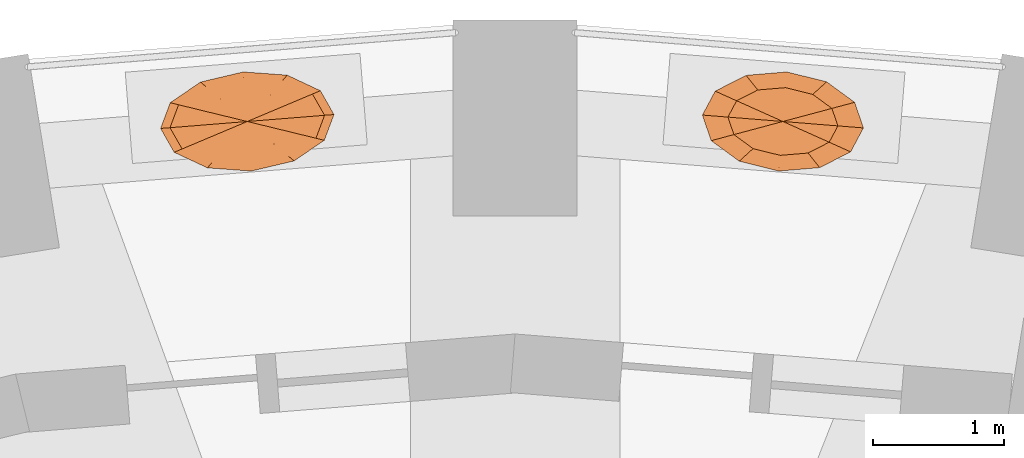
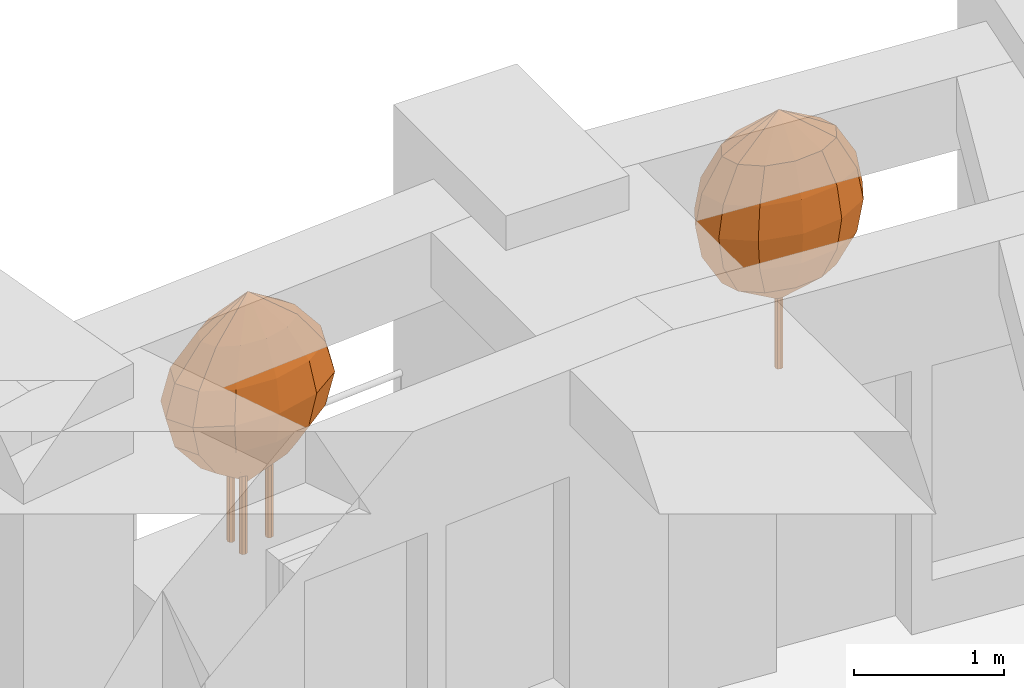
# One storey, part 11 of 11: 2 geographic elements.
"""IFC4 building model written with IfcOpenShell, lengths in metres."""

from ifc_helpers import new_model, si_unit, direction, frame, origin, place, context, subcontext, project, spatial, faceted_brep, material, constituent, constituent_set, type_object, element, save


model = new_model("IFC4")

# Units and contexts
model_context = context("Model", 3, precision=1e-05, world=origin(), true_north=direction((0.0, 1.0)))
body_context = subcontext(model_context, "Body", "Model", "MODEL_VIEW")
ifc_project = project(units=[si_unit("LENGTHUNIT", "METRE"), si_unit("AREAUNIT", "SQUARE_METRE"), si_unit("VOLUMEUNIT", "CUBIC_METRE"), si_unit("PLANEANGLEUNIT", "RADIAN"), si_unit("MASSUNIT", "GRAM", prefix="KILO")], contexts=[model_context])

# Site, building, storey
site_placement = place(None, origin())
site = spatial("IfcSite", under=ifc_project, at=site_placement, CompositionType="ELEMENT")
building_placement = place(site_placement, origin())
building = spatial("IfcBuilding", under=site, at=building_placement, Name="Taillehof Tower", CompositionType="ELEMENT")
storey_placement = place(building_placement, frame((0.0, 0.0, 174.800048828125)))
storey = spatial("IfcBuildingStorey", under=building, at=storey_placement, Name="L49", CompositionType="ELEMENT", Elevation=174.800048828125)

# Geographic elements
ifc_material_1 = material(Name="Tree bark", Category="timber")
ifc_constituent_1 = constituent(ifc_material_1, Name="Trunk", Category="timber")
ifc_material_2 = material(Name="Tree foliage")
ifc_constituent_2 = constituent(ifc_material_2, Name="Crown")
ifc_constituent_set_1 = constituent_set(constituents=[ifc_constituent_1, ifc_constituent_2], Name="Tree TR1 Columnar hornbeam")
geographic_element_type_1 = type_object("IfcGeographicElementType", Name="Tree TR1 Columnar hornbeam", PredefinedType="USERDEFINED", material=ifc_constituent_set_1)
geographic_element_1_placement = place(storey_placement, frame((2.147216796875, 21.524169921875, 0.75)))
element("IfcGeographicElement", 1, at=geographic_element_1_placement, inside=storey, type_object=geographic_element_type_1, Name="Tree TR1 Columnar hornbeam", ObjectType="TREE", PredefinedType="USERDEFINED", context=body_context, shape_type="Brep", body=[
    faceted_brep([(0.030029296875, 0.0, 0.0), (0.021240234375, 0.021240234375, 0.0), (0.021240234375, 0.021240234375, 1.092529296875), (0.030029296875, 0.0, 1.092529296875), (0.0, 0.030029296875, 0.0), (0.0, 0.030029296875, 1.092529296875), (-0.021240234375, 0.021240234375, 0.0), (-0.021240234375, 0.021240234375, 1.092529296875), (-0.030029296875, 0.0, 0.0), (-0.030029296875, 0.0, 1.092529296875), (-0.021240234375, -0.021240234375, 0.0), (-0.021240234375, -0.021240234375, 1.092529296875), (0.0, -0.030029296875, 0.0), (0.0, -0.030029296875, 1.092529296875), (0.021240234375, -0.021240234375, 0.0), (0.021240234375, -0.021240234375, 1.092529296875)], [[[0, 1, 2, 3]], [[1, 4, 5, 2]], [[4, 6, 7, 5]], [[6, 8, 9, 7]], [[8, 10, 11, 9]], [[10, 12, 13, 11]], [[12, 14, 15, 13]], [[14, 0, 3, 15]], [[14, 12, 10, 8, 6, 4, 1, 0]], [[3, 2, 5, 7, 9, 11, 13, 15]]]),
    faceted_brep([(0.0, 0.0, 0.550048828125), (-0.37451171875, -0.10009765625, 0.808349609375), (-0.42041015625, 0.03369140625, 0.808349609375), (-0.22802734375, -0.207275390625, 0.808349609375), (-0.020751953125, -0.2587890625, 0.808349609375), (0.1923828125, -0.240966796875, 0.808349609375), (0.353759765625, -0.158447265625, 0.808349609375), (0.42041015625, -0.03369140625, 0.808349609375), (0.37451171875, 0.10009765625, 0.808349609375), (0.22802734375, 0.207275390625, 0.808349609375), (0.020751953125, 0.2587890625, 0.808349609375), (-0.1923828125, 0.240966796875, 0.808349609375), (-0.353759765625, 0.158447265625, 0.808349609375), (-0.506591796875, -0.135498046875, 1.066650390625), (-0.568603515625, 0.04541015625, 1.066650390625), (-0.30859375, -0.2802734375, 1.066650390625), (-0.028076171875, -0.35009765625, 1.066650390625), (0.260009765625, -0.325927734375, 1.066650390625), (0.478515625, -0.21435546875, 1.066650390625), (0.568603515625, -0.04541015625, 1.066650390625), (0.506591796875, 0.135498046875, 1.066650390625), (0.30859375, 0.2802734375, 1.066650390625), (0.028076171875, 0.35009765625, 1.066650390625), (-0.260009765625, 0.325927734375, 1.066650390625), (-0.478515625, 0.21435546875, 1.066650390625), (-0.54833984375, -0.146728515625, 1.324951171875), (-0.615478515625, 0.04931640625, 1.324951171875), (-0.333984375, -0.303466796875, 1.324951171875), (-0.0302734375, -0.37890625, 1.324951171875), (0.281494140625, -0.352783203125, 1.324951171875), (0.517822265625, -0.232177734375, 1.324951171875), (0.615478515625, -0.04931640625, 1.324951171875), (0.54833984375, 0.146728515625, 1.324951171875), (0.333984375, 0.303466796875, 1.324951171875), (0.0302734375, 0.37890625, 1.324951171875), (-0.281494140625, 0.352783203125, 1.324951171875), (-0.517822265625, 0.232177734375, 1.324951171875), (-0.506591796875, -0.135498046875, 1.583251953125), (-0.568603515625, 0.04541015625, 1.583251953125), (-0.30859375, -0.2802734375, 1.583251953125), (-0.028076171875, -0.35009765625, 1.583251953125), (0.260009765625, -0.325927734375, 1.583251953125), (0.478515625, -0.21435546875, 1.583251953125), (0.568603515625, -0.04541015625, 1.583251953125), (0.506591796875, 0.135498046875, 1.583251953125), (0.30859375, 0.2802734375, 1.583251953125), (0.028076171875, 0.35009765625, 1.583251953125), (-0.260009765625, 0.325927734375, 1.583251953125), (-0.478515625, 0.21435546875, 1.583251953125), (-0.37451171875, -0.10009765625, 1.841552734375), (-0.42041015625, 0.03369140625, 1.841552734375), (-0.22802734375, -0.207275390625, 1.841552734375), (-0.020751953125, -0.2587890625, 1.841552734375), (0.1923828125, -0.240966796875, 1.841552734375), (0.353759765625, -0.158447265625, 1.841552734375), (0.42041015625, -0.03369140625, 1.841552734375), (0.37451171875, 0.10009765625, 1.841552734375), (0.22802734375, 0.207275390625, 1.841552734375), (0.020751953125, 0.2587890625, 1.841552734375), (-0.1923828125, 0.240966796875, 1.841552734375), (-0.353759765625, 0.158447265625, 1.841552734375), (0.0, 0.0, 2.10009765625)], [[[0, 1, 2]], [[0, 3, 1]], [[0, 4, 3]], [[0, 5, 4]], [[0, 6, 5]], [[0, 7, 6]], [[0, 8, 7]], [[0, 9, 8]], [[0, 10, 9]], [[0, 11, 10]], [[0, 12, 11]], [[0, 2, 12]], [[2, 1, 13, 14]], [[1, 3, 15, 13]], [[3, 4, 16, 15]], [[4, 5, 17, 16]], [[5, 6, 18, 17]], [[6, 7, 19, 18]], [[7, 8, 20, 19]], [[8, 9, 21, 20]], [[9, 10, 22, 21]], [[10, 11, 23, 22]], [[11, 12, 24, 23]], [[12, 2, 14, 24]], [[14, 13, 25, 26]], [[13, 15, 27, 25]], [[15, 16, 28, 27]], [[16, 17, 29, 28]], [[17, 18, 30, 29]], [[18, 19, 31, 30]], [[19, 20, 32, 31]], [[20, 21, 33, 32]], [[21, 22, 34, 33]], [[22, 23, 35, 34]], [[23, 24, 36, 35]], [[24, 14, 26, 36]], [[26, 25, 37, 38]], [[25, 27, 39, 37]], [[27, 28, 40, 39]], [[28, 29, 41, 40]], [[29, 30, 42, 41]], [[30, 31, 43, 42]], [[31, 32, 44, 43]], [[32, 33, 45, 44]], [[33, 34, 46, 45]], [[34, 35, 47, 46]], [[35, 36, 48, 47]], [[36, 26, 38, 48]], [[38, 37, 49, 50]], [[37, 39, 51, 49]], [[39, 40, 52, 51]], [[40, 41, 53, 52]], [[41, 42, 54, 53]], [[42, 43, 55, 54]], [[43, 44, 56, 55]], [[44, 45, 57, 56]], [[45, 46, 58, 57]], [[46, 47, 59, 58]], [[47, 48, 60, 59]], [[48, 38, 50, 60]], [[50, 49, 61]], [[49, 51, 61]], [[51, 52, 61]], [[52, 53, 61]], [[53, 54, 61]], [[54, 55, 61]], [[55, 56, 61]], [[56, 57, 61]], [[57, 58, 61]], [[58, 59, 61]], [[59, 60, 61]], [[60, 50, 61]]]),
])
ifc_material_3 = material(Name="Tree bark", Category="timber")
ifc_constituent_3 = constituent(ifc_material_3, Name="Trunk", Category="timber")
ifc_material_4 = material(Name="Tree foliage")
ifc_constituent_4 = constituent(ifc_material_4, Name="Crown")
ifc_constituent_set_2 = constituent_set(constituents=[ifc_constituent_3, ifc_constituent_4], Name="Tree TR3 Multi-stem serviceberry")
geographic_element_type_2 = type_object("IfcGeographicElementType", Name="Tree TR3 Multi-stem serviceberry", PredefinedType="USERDEFINED", material=ifc_constituent_set_2)
geographic_element_2_placement = place(storey_placement, frame((-1.947265625, 21.524169921875, 0.75)))
element("IfcGeographicElement", 2, at=geographic_element_2_placement, inside=storey, type_object=geographic_element_type_2, Name="Tree TR3 Multi-stem serviceberry", ObjectType="TREE", PredefinedType="USERDEFINED", context=body_context, shape_type="Brep", body=[
    faceted_brep([(0.195068359375, 0.0, 0.0), (0.186767578125, 0.0205078125, 0.0), (0.186767578125, 0.0205078125, 1.04248046875), (0.195068359375, 0.0, 1.04248046875), (0.166259765625, 0.02880859375, 0.0), (0.166259765625, 0.02880859375, 1.04248046875), (0.145751953125, 0.0205078125, 0.0), (0.145751953125, 0.0205078125, 1.04248046875), (0.137451171875, 0.0, 0.0), (0.137451171875, 0.0, 1.04248046875), (0.145751953125, -0.0205078125, 0.0), (0.145751953125, -0.0205078125, 1.04248046875), (0.166259765625, -0.02880859375, 0.0), (0.166259765625, -0.02880859375, 1.04248046875), (0.186767578125, -0.0205078125, 0.0), (0.186767578125, -0.0205078125, 1.04248046875)], [[[0, 1, 2, 3]], [[1, 4, 5, 2]], [[4, 6, 7, 5]], [[6, 8, 9, 7]], [[8, 10, 11, 9]], [[10, 12, 13, 11]], [[12, 14, 15, 13]], [[14, 0, 3, 15]], [[14, 12, 10, 8, 6, 4, 1, 0]], [[3, 2, 5, 7, 9, 11, 13, 15]]]),
    faceted_brep([(-0.05419921875, 0.082275390625, 0.0), (-0.062744140625, 0.102783203125, 0.0), (-0.062744140625, 0.102783203125, 1.04248046875), (-0.05419921875, 0.082275390625, 1.04248046875), (-0.0830078125, 0.111083984375, 0.0), (-0.0830078125, 0.111083984375, 1.04248046875), (-0.103515625, 0.102783203125, 0.0), (-0.103515625, 0.102783203125, 1.04248046875), (-0.112060546875, 0.082275390625, 0.0), (-0.112060546875, 0.082275390625, 1.04248046875), (-0.103515625, 0.061767578125, 0.0), (-0.103515625, 0.061767578125, 1.04248046875), (-0.0830078125, 0.053466796875, 0.0), (-0.0830078125, 0.053466796875, 1.04248046875), (-0.062744140625, 0.061767578125, 0.0), (-0.062744140625, 0.061767578125, 1.04248046875)], [[[0, 1, 2, 3]], [[1, 4, 5, 2]], [[4, 6, 7, 5]], [[6, 8, 9, 7]], [[8, 10, 11, 9]], [[10, 12, 13, 11]], [[12, 14, 15, 13]], [[14, 0, 3, 15]], [[14, 12, 10, 8, 6, 4, 1, 0]], [[3, 2, 5, 7, 9, 11, 13, 15]]]),
    faceted_brep([(-0.05419921875, -0.082275390625, 0.0), (-0.062744140625, -0.061767578125, 0.0), (-0.062744140625, -0.061767578125, 1.04248046875), (-0.05419921875, -0.082275390625, 1.04248046875), (-0.0830078125, -0.053466796875, 0.0), (-0.0830078125, -0.053466796875, 1.04248046875), (-0.103515625, -0.061767578125, 0.0), (-0.103515625, -0.061767578125, 1.04248046875), (-0.112060546875, -0.082275390625, 0.0), (-0.112060546875, -0.082275390625, 1.04248046875), (-0.103515625, -0.102783203125, 0.0), (-0.103515625, -0.102783203125, 1.04248046875), (-0.0830078125, -0.111083984375, 0.0), (-0.0830078125, -0.111083984375, 1.04248046875), (-0.062744140625, -0.102783203125, 0.0), (-0.062744140625, -0.102783203125, 1.04248046875)], [[[0, 1, 2, 3]], [[1, 4, 5, 2]], [[4, 6, 7, 5]], [[6, 8, 9, 7]], [[8, 10, 11, 9]], [[10, 12, 13, 11]], [[12, 14, 15, 13]], [[14, 0, 3, 15]], [[14, 12, 10, 8, 6, 4, 1, 0]], [[3, 2, 5, 7, 9, 11, 13, 15]]]),
    faceted_brep([(0.0, 0.0, 0.5), (-0.321044921875, -0.13525390625, 0.75830078125), (-0.380615234375, -0.030517578125, 0.75830078125), (-0.17529296875, -0.20361328125, 0.75830078125), (0.017333984375, -0.217529296875, 0.75830078125), (0.205322265625, -0.173095703125, 0.75830078125), (0.33837890625, -0.082275390625, 0.75830078125), (0.380615234375, 0.030517578125, 0.75830078125), (0.321044921875, 0.13525390625, 0.75830078125), (0.17529296875, 0.20361328125, 0.75830078125), (-0.017333984375, 0.217529296875, 0.75830078125), (-0.205322265625, 0.173095703125, 0.75830078125), (-0.33837890625, 0.082275390625, 0.75830078125), (-0.498046875, -0.209716796875, 1.0166015625), (-0.5908203125, -0.04736328125, 1.0166015625), (-0.27197265625, -0.31591796875, 1.0166015625), (0.027099609375, -0.337646484375, 1.0166015625), (0.31884765625, -0.268798828125, 1.0166015625), (0.525146484375, -0.1279296875, 1.0166015625), (0.5908203125, 0.04736328125, 1.0166015625), (0.498046875, 0.209716796875, 1.0166015625), (0.27197265625, 0.31591796875, 1.0166015625), (-0.027099609375, 0.337646484375, 1.0166015625), (-0.31884765625, 0.268798828125, 1.0166015625), (-0.525146484375, 0.1279296875, 1.0166015625), (-0.558837890625, -0.2353515625, 1.27490234375), (-0.662841796875, -0.052978515625, 1.27490234375), (-0.30517578125, -0.3544921875, 1.27490234375), (0.0302734375, -0.37890625, 1.27490234375), (0.357666015625, -0.301513671875, 1.27490234375), (0.589111328125, -0.1435546875, 1.27490234375), (0.662841796875, 0.052978515625, 1.27490234375), (0.558837890625, 0.2353515625, 1.27490234375), (0.30517578125, 0.3544921875, 1.27490234375), (-0.0302734375, 0.37890625, 1.27490234375), (-0.357666015625, 0.301513671875, 1.27490234375), (-0.589111328125, 0.1435546875, 1.27490234375), (-0.498046875, -0.209716796875, 1.533447265625), (-0.5908203125, -0.04736328125, 1.533447265625), (-0.27197265625, -0.31591796875, 1.533447265625), (0.027099609375, -0.337646484375, 1.533447265625), (0.31884765625, -0.268798828125, 1.533447265625), (0.525146484375, -0.1279296875, 1.533447265625), (0.5908203125, 0.04736328125, 1.533447265625), (0.498046875, 0.209716796875, 1.533447265625), (0.27197265625, 0.31591796875, 1.533447265625), (-0.027099609375, 0.337646484375, 1.533447265625), (-0.31884765625, 0.268798828125, 1.533447265625), (-0.525146484375, 0.1279296875, 1.533447265625), (-0.321044921875, -0.13525390625, 1.791748046875), (-0.380615234375, -0.030517578125, 1.791748046875), (-0.17529296875, -0.20361328125, 1.791748046875), (0.017333984375, -0.217529296875, 1.791748046875), (0.205322265625, -0.173095703125, 1.791748046875), (0.33837890625, -0.082275390625, 1.791748046875), (0.380615234375, 0.030517578125, 1.791748046875), (0.321044921875, 0.13525390625, 1.791748046875), (0.17529296875, 0.20361328125, 1.791748046875), (-0.017333984375, 0.217529296875, 1.791748046875), (-0.205322265625, 0.173095703125, 1.791748046875), (-0.33837890625, 0.082275390625, 1.791748046875), (0.0, 0.0, 2.050048828125)], [[[0, 1, 2]], [[0, 3, 1]], [[0, 4, 3]], [[0, 5, 4]], [[0, 6, 5]], [[0, 7, 6]], [[0, 8, 7]], [[0, 9, 8]], [[0, 10, 9]], [[0, 11, 10]], [[0, 12, 11]], [[0, 2, 12]], [[2, 1, 13, 14]], [[1, 3, 15, 13]], [[3, 4, 16, 15]], [[4, 5, 17, 16]], [[5, 6, 18, 17]], [[6, 7, 19, 18]], [[7, 8, 20, 19]], [[8, 9, 21, 20]], [[9, 10, 22, 21]], [[10, 11, 23, 22]], [[11, 12, 24, 23]], [[12, 2, 14, 24]], [[14, 13, 25, 26]], [[13, 15, 27, 25]], [[15, 16, 28, 27]], [[16, 17, 29, 28]], [[17, 18, 30, 29]], [[18, 19, 31, 30]], [[19, 20, 32, 31]], [[20, 21, 33, 32]], [[21, 22, 34, 33]], [[22, 23, 35, 34]], [[23, 24, 36, 35]], [[24, 14, 26, 36]], [[26, 25, 37, 38]], [[25, 27, 39, 37]], [[27, 28, 40, 39]], [[28, 29, 41, 40]], [[29, 30, 42, 41]], [[30, 31, 43, 42]], [[31, 32, 44, 43]], [[32, 33, 45, 44]], [[33, 34, 46, 45]], [[34, 35, 47, 46]], [[35, 36, 48, 47]], [[36, 26, 38, 48]], [[38, 37, 49, 50]], [[37, 39, 51, 49]], [[39, 40, 52, 51]], [[40, 41, 53, 52]], [[41, 42, 54, 53]], [[42, 43, 55, 54]], [[43, 44, 56, 55]], [[44, 45, 57, 56]], [[45, 46, 58, 57]], [[46, 47, 59, 58]], [[47, 48, 60, 59]], [[48, 38, 50, 60]], [[50, 49, 61]], [[49, 51, 61]], [[51, 52, 61]], [[52, 53, 61]], [[53, 54, 61]], [[54, 55, 61]], [[55, 56, 61]], [[56, 57, 61]], [[57, 58, 61]], [[58, 59, 61]], [[59, 60, 61]], [[60, 50, 61]]]),
])

save(model, "model.ifc")
